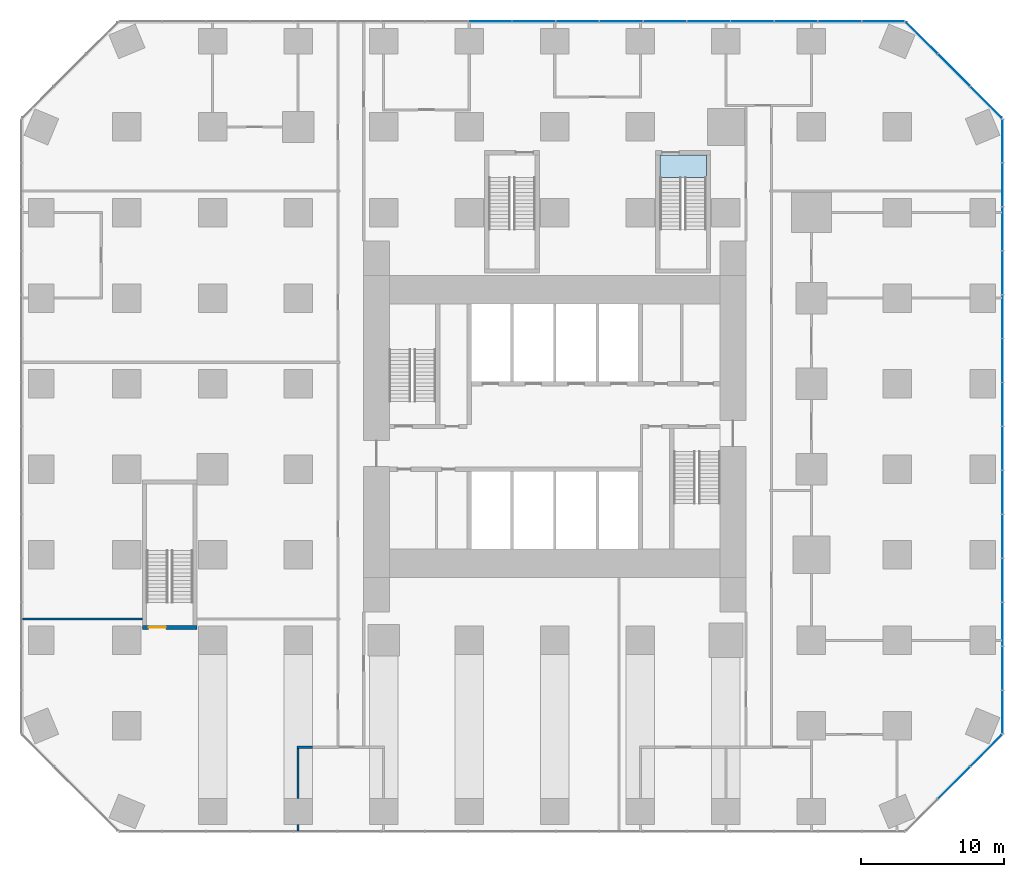
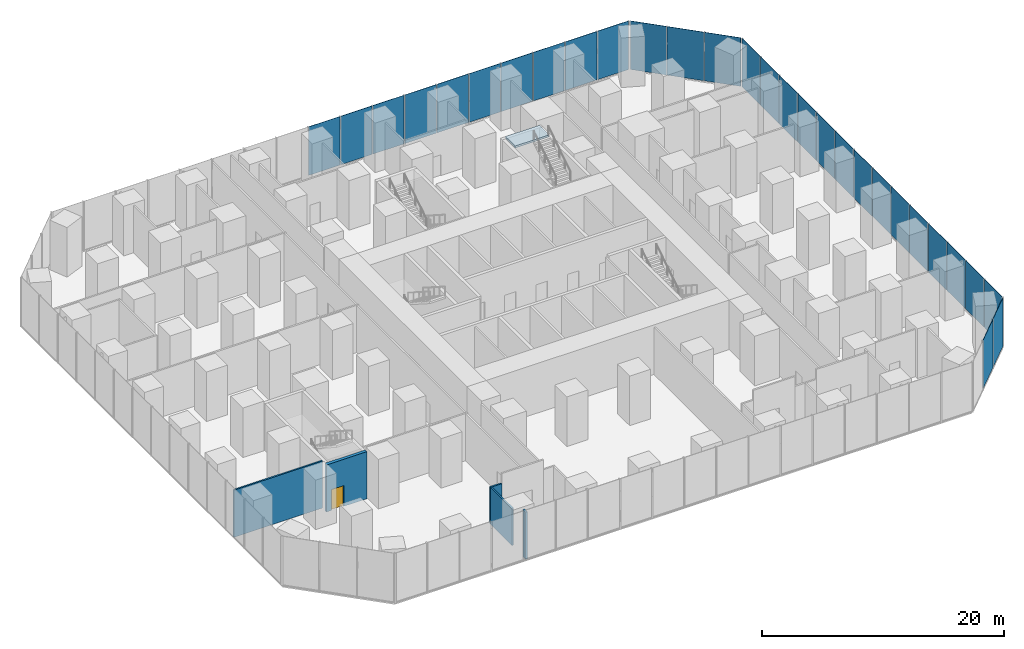
# One storey, part 10 of 15: 29 plates, 5 walls, 1 door, 1 slab, 1 opening, 5 elements without a shape of their own.
"""IFC4 building model written with IfcOpenShell, lengths in metres."""

import ifcopenshell
import ifcopenshell.guid

model = None  # the IFC model being written
_history = None  # IfcOwnerHistory: only IFC2X3 demands one
_inside = {}  # id of a spatial element -> (the spatial element, [elements in it])
_under = {}  # id of a project, library or spatial element -> (it, [spatial elements below it])
_declared = {}  # id of a project -> (the project, [libraries it declares])
_typed = {}  # id of a type object -> (the type object, [elements of that type])
_made_of = {}  # id of a material, layer set ... -> (it, [elements and type objects made of it])


def new_model(schema):
    """Start an empty IFC model of exactly this schema.

    Asked for "IFC4X3", IfcOpenShell would pick the latest addendum, in which some entities
    have other attributes; the version numbers below select the first issue.
    IFC2X3 requires an IfcOwnerHistory on every rooted entity: one is made here for all.
    """
    global model, _history
    if schema == "IFC4X3":
        model = ifcopenshell.file(schema_version=(4, 3, 0, 0))
    else:
        model = ifcopenshell.file(schema=schema)
    _inside.clear()
    _under.clear()
    _declared.clear()
    _typed.clear()
    _made_of.clear()
    _history = None
    if model.schema == "IFC2X3":
        org = make("IfcOrganization", Name="unknown")
        user = make(
            "IfcPersonAndOrganization",
            ThePerson=make("IfcPerson", FamilyName="unknown"),
            TheOrganization=org,
        )
        app = make(
            "IfcApplication",
            ApplicationDeveloper=org,
            Version="unknown",
            ApplicationFullName="unknown",
            ApplicationIdentifier="unknown",
        )
        _history = make(
            "IfcOwnerHistory",
            OwningUser=user,
            OwningApplication=app,
            ChangeAction="ADDED",
            CreationDate=0,
        )
    return model


def make(cls, **values):
    """One entity of the class cls with the attributes given. An attribute that is None is left unset."""
    return model.create_entity(
        cls, **{name: value for name, value in values.items() if value is not None}
    )


def rooted(cls, **values):
    """An entity with a GlobalId (a new one), such as an element, a storey or a relation."""
    return make(cls, GlobalId=ifcopenshell.guid.new(), OwnerHistory=_history, **values)


def si_unit(unit_type, name, prefix=None):
    """IfcSIUnit, for example si_unit("LENGTHUNIT", "METRE", prefix="MILLI")."""
    return make("IfcSIUnit", UnitType=unit_type, Prefix=prefix, Name=name)


def assignment(units):
    """IfcUnitAssignment: the units of a project."""
    return None if units is None else make("IfcUnitAssignment", Units=units)


def point(xyz):
    """IfcCartesianPoint."""
    return None if xyz is None else make("IfcCartesianPoint", Coordinates=xyz)


def direction(xyz):
    """IfcDirection."""
    return None if xyz is None else make("IfcDirection", DirectionRatios=xyz)


def frame(location, z_axis=None, x_axis=None):
    """IfcAxis2Placement3D, a coordinate frame: its origin and axes. An axis left out is left unset."""
    return make(
        "IfcAxis2Placement3D",
        Location=point(location),
        Axis=direction(z_axis),
        RefDirection=direction(x_axis),
    )


def frame_2d(location, x_axis=None):
    """IfcAxis2Placement2D, a coordinate frame in the plane: its origin and x axis."""
    return make(
        "IfcAxis2Placement2D", Location=point(location), RefDirection=direction(x_axis)
    )


def origin():
    """The frame at (0, 0, 0) with its axes left unset."""
    return frame((0.0, 0.0, 0.0))


def origin_2d():
    """The frame at (0, 0) in the plane with its x axis left unset."""
    return frame_2d((0.0, 0.0))


def place(relative_to, where):
    """IfcLocalPlacement: puts the frame where relative to a parent placement (None: the world)."""
    return make(
        "IfcLocalPlacement", PlacementRelTo=relative_to, RelativePlacement=where
    )


def context(
    kind, dimensions, precision=None, world=None, true_north=None, identifier=None
):
    """IfcGeometricRepresentationContext, for example the 3D "Model" context."""
    return make(
        "IfcGeometricRepresentationContext",
        ContextIdentifier=identifier,
        ContextType=kind,
        CoordinateSpaceDimension=dimensions,
        Precision=precision,
        WorldCoordinateSystem=world,
        TrueNorth=true_north,
    )


def subcontext(parent, identifier, kind, view, scale=None):
    """IfcGeometricRepresentationSubContext, for example "Body" below "Model"."""
    return make(
        "IfcGeometricRepresentationSubContext",
        ContextIdentifier=identifier,
        ContextType=kind,
        ParentContext=parent,
        TargetScale=scale,
        TargetView=view,
    )


def project(units=None, contexts=None):
    """IfcProject with its units and contexts."""
    return rooted(
        "IfcProject",
        Name="project",
        RepresentationContexts=contexts,
        UnitsInContext=assignment(units),
    )


def spatial(cls, under=None, at=None, **own):
    """A site, building, storey or space (cls), placed at a placement, below another one or the project."""
    s = rooted(cls, ObjectPlacement=at, **own)
    if under is not None:
        _under.setdefault(under.id(), (under, []))[1].append(s)
    return s


def polyline(points):
    """IfcPolyline through the points."""
    return make("IfcPolyline", Points=[point(p) for p in points])


def profile(cls, at=None, kind="AREA", **sizes):
    """A parametric profile (cls). Its sizes go by their IFC names, for example OverallWidth=200.0."""
    return make(cls, ProfileType=kind, Position=at, **sizes)


def rectangle(**sizes):
    """IfcRectangleProfileDef."""
    return profile("IfcRectangleProfileDef", **sizes)


def outline(outer, holes=None, kind="AREA"):
    """IfcArbitraryClosedProfileDef: a profile drawn as a closed curve; with holes, ...WithVoids."""
    if holes is None:
        return make("IfcArbitraryClosedProfileDef", ProfileType=kind, OuterCurve=outer)
    return make(
        "IfcArbitraryProfileDefWithVoids",
        ProfileType=kind,
        OuterCurve=outer,
        InnerCurves=holes,
    )


def extrude(swept, where, along, depth):
    """IfcExtrudedAreaSolid: the profile swept, set in the frame where, extruded along a direction by depth."""
    return make(
        "IfcExtrudedAreaSolid",
        SweptArea=swept,
        Position=where,
        ExtrudedDirection=direction(along),
        Depth=depth,
    )


def shape(context_of_items, identifier, shape_type, items):
    """IfcShapeRepresentation: the items that make up one representation, for example the "Body"."""
    return make(
        "IfcShapeRepresentation",
        ContextOfItems=context_of_items,
        RepresentationIdentifier=identifier,
        RepresentationType=shape_type,
        Items=items,
    )


def material(Name=None, Category=None):
    """IfcMaterial."""
    return make("IfcMaterial", Name=Name, Category=Category)


def layer(
    of_material, thickness, ventilated=None, Name=None, Category=None, Priority=None
):
    """IfcMaterialLayer: one layer of a wall or slab, of a material (None: an air gap)."""
    return make(
        "IfcMaterialLayer",
        Material=of_material,
        LayerThickness=thickness,
        IsVentilated=ventilated,
        Name=Name,
        Category=Category,
        Priority=Priority,
    )


def layer_set(layers, Name=None):
    """IfcMaterialLayerSet."""
    return make("IfcMaterialLayerSet", MaterialLayers=layers, LayerSetName=Name)


def made_of(thing, what):
    """Note that an element or type object is made of a material, layer set ...; save() writes the relation."""
    if what is not None:
        _made_of.setdefault(what.id(), (what, []))[1].append(thing)
    return thing


def type_object(cls, material=None, **own):
    """A type object (cls), such as IfcWallType, which elements share."""
    return made_of(rooted(cls, **own), material)


def element(
    cls,
    number,
    at=None,
    inside=None,
    cuts=None,
    type_object=None,
    material=None,
    context=None,
    identifier="Body",
    shape_type=None,
    held_by="IfcProductDefinitionShape",
    body=None,
    shapes=None,
    **own,
):
    """One element of the class cls, such as IfcWall. Its Tag is "e" and its number.

    at: its placement. inside: the storey or other place that contains it. cuts: it is an
    opening in that element (IfcRelVoidsElement). A single representation is given by context,
    identifier, shape_type and body (its items); several are given by shapes. held_by: the class
    of the entity that holds the representations. save() writes the other relations.
    """
    e = rooted(cls, Tag="e%d" % number, ObjectPlacement=at, **own)
    if body is not None:
        shapes = [shape(context, identifier, shape_type, body)]
    if shapes is not None:
        e.Representation = make(held_by, Representations=shapes)
    if inside is not None:
        _inside.setdefault(inside.id(), (inside, []))[1].append(e)
    if cuts is not None:
        rooted(
            "IfcRelVoidsElement", RelatingBuildingElement=cuts, RelatedOpeningElement=e
        )
    if type_object is not None:
        _typed.setdefault(type_object.id(), (type_object, []))[1].append(e)
    return made_of(e, material)


def fill(opening, filler):
    """IfcRelFillsElement: the door or window that sits in an opening."""
    return rooted(
        "IfcRelFillsElement",
        RelatingOpeningElement=opening,
        RelatedBuildingElement=filler,
    )


def aggregate(whole, parts):
    """IfcRelAggregates: a whole, such as a stair, and the parts it consists of."""
    return rooted("IfcRelAggregates", RelatingObject=whole, RelatedObjects=parts)


def save(model, path):
    """Write the relations noted so far, then the file.

    IfcRelAggregates (storeys below a building ...), IfcRelContainedInSpatialStructure (elements
    in a storey), IfcRelDefinesByType, IfcRelAssociatesMaterial and IfcRelDeclares: one each for
    every whole, place, type object, material and project.
    """
    for whole, parts in _under.values():
        aggregate(whole, parts)
    for where, things in _inside.values():
        rooted(
            "IfcRelContainedInSpatialStructure",
            RelatedElements=things,
            RelatingStructure=where,
        )
    for kind, things in _typed.values():
        rooted("IfcRelDefinesByType", RelatedObjects=things, RelatingType=kind)
    for what, things in _made_of.values():
        rooted("IfcRelAssociatesMaterial", RelatedObjects=things, RelatingMaterial=what)
    for by, libraries in _declared.values():
        rooted("IfcRelDeclares", RelatingContext=by, RelatedDefinitions=libraries)
    model.write(path)


model = new_model("IFC4")

# Units and contexts
model_context = context("Model", 3, precision=1e-05, world=origin(), true_north=direction((0.0, 1.0)))
body_context = subcontext(model_context, "Body", "Model", "MODEL_VIEW")
ifc_project = project(units=[si_unit("LENGTHUNIT", "METRE"), si_unit("AREAUNIT", "SQUARE_METRE"), si_unit("VOLUMEUNIT", "CUBIC_METRE"), si_unit("PLANEANGLEUNIT", "RADIAN"), si_unit("MASSUNIT", "GRAM", prefix="KILO")], contexts=[model_context])

# Site, building, storey
site_placement = place(None, origin())
site = spatial("IfcSite", under=ifc_project, at=site_placement, CompositionType="ELEMENT")
building_placement = place(site_placement, origin())
building = spatial("IfcBuilding", under=site, at=building_placement, Name="Highveld Stack Headquarters", CompositionType="ELEMENT")
storey_placement = place(building_placement, frame((0.0, 0.0, 6.0)))
storey = spatial("IfcBuildingStorey", under=building, at=storey_placement, Name="L01", CompositionType="ELEMENT", Elevation=6.0)

# Curtain wall, plates
ifc_material_1 = material(Name="Aluminium bronze anodised", Category="aluminium")
ifc_layer_1 = layer(ifc_material_1, 0.199951171875)
ifc_layer_set_1 = layer_set([ifc_layer_1], Name="Aluminium bronze anodised")
curtain_wall_type = type_object("IfcCurtainWallType", Name="CW3 PODIUM STICK CURTAIN WALL", PredefinedType="NOTDEFINED", material=ifc_layer_set_1)
curtain_wall_1_placement = place(storey_placement, origin())
curtain_wall_1 = element("IfcCurtainWall", 1, at=curtain_wall_1_placement, inside=storey, type_object=curtain_wall_type, Name="Curtain wall CW3 L01 SE", PredefinedType="NOTDEFINED")
ifc_material_2 = material(Name="Glass clear low-iron double glazed unit", Category="glass")
ifc_layer_2 = layer(ifc_material_2, 0.035888671875)
ifc_layer_set_2 = layer_set([ifc_layer_2], Name="Glass clear low-iron double glazed unit")
plate_type = type_object("IfcPlateType", Name="CW3 PANEL CLEAR LOW-IRON DOUBLE GLAZED UNIT", PredefinedType="CURTAIN_PANEL", material=ifc_layer_set_2)
plate_1_placement = place(storey_placement, frame((33.989990234375, -21.989990234375, 0.10009765625), z_axis=(0.0, 0.0, 1.0), x_axis=(0.707106781187, 0.707106781187, 0.0)))
plate_1 = element("IfcPlate", 2, at=plate_1_placement, type_object=plate_type, Name="CW3 panel L01 2.1", PredefinedType="CURTAIN_PANEL", context=body_context, shape_type="SweptSolid", body=[
    extrude(rectangle(XDim=3.14990234375, YDim=0.035888671875, at=origin_2d()), origin(), (0.0, 0.0, 1.0), 4.89990234375),
])
plate_2_placement = place(storey_placement, frame((36.239501953125, -19.740478515625, 0.10009765625), z_axis=(0.0, 0.0, 1.0), x_axis=(0.707106781187, 0.707106781187, 0.0)))
plate_2 = element("IfcPlate", 3, at=plate_2_placement, type_object=plate_type, Name="CW3 panel L01 3.1", PredefinedType="CURTAIN_PANEL", context=body_context, shape_type="SweptSolid", body=[
    extrude(rectangle(XDim=3.08251953125, YDim=0.035888671875, at=origin_2d()), origin(), (0.0, 0.0, 1.0), 4.89990234375),
])
aggregate(curtain_wall_1, [plate_1, plate_2])

curtain_wall_2_placement = place(storey_placement, origin())
curtain_wall_2 = element("IfcCurtainWall", 4, at=curtain_wall_2_placement, inside=storey, type_object=curtain_wall_type, Name="Curtain wall CW3 L01 E", PredefinedType="NOTDEFINED")
plate_3_placement = place(storey_placement, frame((37.39990234375, -17.022216796875, 0.10009765625), z_axis=(0.0, 0.0, 1.0), x_axis=(0.0, 1.0, 0.0)))
plate_3 = element("IfcPlate", 5, at=plate_3_placement, type_object=plate_type, Name="CW3 panel L01 1.1", PredefinedType="CURTAIN_PANEL", context=body_context, shape_type="SweptSolid", body=[
    extrude(rectangle(XDim=2.9853515625, YDim=0.035888671875, at=origin_2d()), origin(), (0.0, 0.0, 1.0), 4.89990234375),
])
plate_4_placement = place(storey_placement, frame((37.39990234375, -13.95556640625, 0.10009765625), z_axis=(0.0, 0.0, 1.0), x_axis=(0.0, 1.0, 0.0)))
plate_4 = element("IfcPlate", 6, at=plate_4_placement, type_object=plate_type, Name="CW3 panel L01 2.1", PredefinedType="CURTAIN_PANEL", context=body_context, shape_type="SweptSolid", body=[
    extrude(rectangle(XDim=3.017822265625, YDim=0.035888671875, at=origin_2d()), origin(), (0.0, 0.0, 1.0), 4.89990234375),
])
plate_5_placement = place(storey_placement, frame((37.39990234375, -10.872802734375, 0.10009765625), z_axis=(0.0, 0.0, 1.0), x_axis=(0.0, 1.0, 0.0)))
plate_5 = element("IfcPlate", 7, at=plate_5_placement, type_object=plate_type, Name="CW3 panel L01 3.1", PredefinedType="CURTAIN_PANEL", context=body_context, shape_type="SweptSolid", body=[
    extrude(rectangle(XDim=3.017822265625, YDim=0.035888671875, at=origin_2d()), origin(), (0.0, 0.0, 1.0), 4.89990234375),
])
plate_6_placement = place(storey_placement, frame((37.39990234375, -7.789794921875, 0.10009765625), z_axis=(0.0, 0.0, 1.0), x_axis=(0.0, 1.0, 0.0)))
plate_6 = element("IfcPlate", 8, at=plate_6_placement, type_object=plate_type, Name="CW3 panel L01 4.1", PredefinedType="CURTAIN_PANEL", context=body_context, shape_type="SweptSolid", body=[
    extrude(rectangle(XDim=3.017822265625, YDim=0.035888671875, at=origin_2d()), origin(), (0.0, 0.0, 1.0), 4.89990234375),
])
plate_7_placement = place(storey_placement, frame((37.39990234375, -4.70703125, 0.10009765625), z_axis=(0.0, 0.0, 1.0), x_axis=(0.0, 1.0, 0.0)))
plate_7 = element("IfcPlate", 9, at=plate_7_placement, type_object=plate_type, Name="CW3 panel L01 5.1", PredefinedType="CURTAIN_PANEL", context=body_context, shape_type="SweptSolid", body=[
    extrude(rectangle(XDim=3.017822265625, YDim=0.035888671875, at=origin_2d()), origin(), (0.0, 0.0, 1.0), 4.89990234375),
])
plate_8_placement = place(storey_placement, frame((37.39990234375, -1.624267578125, 0.10009765625), z_axis=(0.0, 0.0, 1.0), x_axis=(0.0, 1.0, 0.0)))
plate_8 = element("IfcPlate", 10, at=plate_8_placement, type_object=plate_type, Name="CW3 panel L01 6.1", PredefinedType="CURTAIN_PANEL", context=body_context, shape_type="SweptSolid", body=[
    extrude(rectangle(XDim=3.017822265625, YDim=0.035888671875, at=origin_2d()), origin(), (0.0, 0.0, 1.0), 4.89990234375),
])
plate_9_placement = place(storey_placement, frame((37.39990234375, 1.45849609375, 0.10009765625), z_axis=(0.0, 0.0, 1.0), x_axis=(0.0, 1.0, 0.0)))
plate_9 = element("IfcPlate", 11, at=plate_9_placement, type_object=plate_type, Name="CW3 panel L01 7.1", PredefinedType="CURTAIN_PANEL", context=body_context, shape_type="SweptSolid", body=[
    extrude(rectangle(XDim=3.017822265625, YDim=0.035888671875, at=origin_2d()), origin(), (0.0, 0.0, 1.0), 4.89990234375),
])
plate_10_placement = place(storey_placement, frame((37.39990234375, 4.54150390625, 0.10009765625), z_axis=(0.0, 0.0, 1.0), x_axis=(0.0, 1.0, 0.0)))
plate_10 = element("IfcPlate", 12, at=plate_10_placement, type_object=plate_type, Name="CW3 panel L01 8.1", PredefinedType="CURTAIN_PANEL", context=body_context, shape_type="SweptSolid", body=[
    extrude(rectangle(XDim=3.017822265625, YDim=0.035888671875, at=origin_2d()), origin(), (0.0, 0.0, 1.0), 4.89990234375),
])
plate_11_placement = place(storey_placement, frame((37.39990234375, 7.624267578125, 0.10009765625), z_axis=(0.0, 0.0, 1.0), x_axis=(0.0, 1.0, 0.0)))
plate_11 = element("IfcPlate", 13, at=plate_11_placement, type_object=plate_type, Name="CW3 panel L01 9.1", PredefinedType="CURTAIN_PANEL", context=body_context, shape_type="SweptSolid", body=[
    extrude(rectangle(XDim=3.017822265625, YDim=0.035888671875, at=origin_2d()), origin(), (0.0, 0.0, 1.0), 4.89990234375),
])
plate_12_placement = place(storey_placement, frame((37.39990234375, 10.70703125, 0.10009765625), z_axis=(0.0, 0.0, 1.0), x_axis=(0.0, 1.0, 0.0)))
plate_12 = element("IfcPlate", 14, at=plate_12_placement, type_object=plate_type, Name="CW3 panel L01 10.1", PredefinedType="CURTAIN_PANEL", context=body_context, shape_type="SweptSolid", body=[
    extrude(rectangle(XDim=3.017822265625, YDim=0.035888671875, at=origin_2d()), origin(), (0.0, 0.0, 1.0), 4.89990234375),
])
plate_13_placement = place(storey_placement, frame((37.39990234375, 13.7900390625, 0.10009765625), z_axis=(0.0, 0.0, 1.0), x_axis=(0.0, 1.0, 0.0)))
plate_13 = element("IfcPlate", 15, at=plate_13_placement, type_object=plate_type, Name="CW3 panel L01 11.1", PredefinedType="CURTAIN_PANEL", context=body_context, shape_type="SweptSolid", body=[
    extrude(rectangle(XDim=3.017822265625, YDim=0.035888671875, at=origin_2d()), origin(), (0.0, 0.0, 1.0), 4.89990234375),
])
plate_14_placement = place(storey_placement, frame((37.39990234375, 16.872802734375, 0.10009765625), z_axis=(0.0, 0.0, 1.0), x_axis=(0.0, 1.0, 0.0)))
plate_14 = element("IfcPlate", 16, at=plate_14_placement, type_object=plate_type, Name="CW3 panel L01 12.1", PredefinedType="CURTAIN_PANEL", context=body_context, shape_type="SweptSolid", body=[
    extrude(rectangle(XDim=3.017822265625, YDim=0.035888671875, at=origin_2d()), origin(), (0.0, 0.0, 1.0), 4.89990234375),
])
plate_15_placement = place(storey_placement, frame((37.39990234375, 19.95556640625, 0.10009765625), z_axis=(0.0, 0.0, 1.0), x_axis=(0.0, 1.0, 0.0)))
plate_15 = element("IfcPlate", 17, at=plate_15_placement, type_object=plate_type, Name="CW3 panel L01 13.1", PredefinedType="CURTAIN_PANEL", context=body_context, shape_type="SweptSolid", body=[
    extrude(rectangle(XDim=3.017822265625, YDim=0.035888671875, at=origin_2d()), origin(), (0.0, 0.0, 1.0), 4.89990234375),
])
plate_16_placement = place(storey_placement, frame((37.39990234375, 23.022216796875, 0.10009765625), z_axis=(0.0, 0.0, 1.0), x_axis=(0.0, 1.0, 0.0)))
plate_16 = element("IfcPlate", 18, at=plate_16_placement, type_object=plate_type, Name="CW3 panel L01 14.1", PredefinedType="CURTAIN_PANEL", context=body_context, shape_type="SweptSolid", body=[
    extrude(rectangle(XDim=2.9853515625, YDim=0.035888671875, at=origin_2d()), origin(), (0.0, 0.0, 1.0), 4.89990234375),
])
aggregate(curtain_wall_2, [plate_3, plate_4, plate_5, plate_6, plate_7, plate_8, plate_9, plate_10, plate_11, plate_12, plate_13, plate_14, plate_15, plate_16])

curtain_wall_3_placement = place(storey_placement, origin())
curtain_wall_3 = element("IfcCurtainWall", 19, at=curtain_wall_3_placement, inside=storey, type_object=curtain_wall_type, Name="Curtain wall CW3 L01 NE", PredefinedType="NOTDEFINED")
plate_17_placement = place(storey_placement, frame((36.239501953125, 25.740478515625, 0.10009765625), z_axis=(0.0, 0.0, 1.0), x_axis=(-0.707106781187, 0.707106781187, 0.0)))
plate_17 = element("IfcPlate", 20, at=plate_17_placement, type_object=plate_type, Name="CW3 panel L01 1.1", PredefinedType="CURTAIN_PANEL", context=body_context, shape_type="SweptSolid", body=[
    extrude(rectangle(XDim=3.08251953125, YDim=0.035888671875, at=origin_2d()), origin(), (0.0, 0.0, 1.0), 4.89990234375),
])
plate_18_placement = place(storey_placement, frame((33.989990234375, 27.989990234375, 0.10009765625), z_axis=(0.0, 0.0, 1.0), x_axis=(-0.707106781187, 0.707106781187, 0.0)))
plate_18 = element("IfcPlate", 21, at=plate_18_placement, type_object=plate_type, Name="CW3 panel L01 2.1", PredefinedType="CURTAIN_PANEL", context=body_context, shape_type="SweptSolid", body=[
    extrude(rectangle(XDim=3.14990234375, YDim=0.035888671875, at=origin_2d()), origin(), (0.0, 0.0, 1.0), 4.89990234375),
])
plate_19_placement = place(storey_placement, frame((31.740478515625, 30.239501953125, 0.10009765625), z_axis=(0.0, 0.0, 1.0), x_axis=(-0.707106781187, 0.707106781187, 0.0)))
plate_19 = element("IfcPlate", 22, at=plate_19_placement, type_object=plate_type, Name="CW3 panel L01 3.1", PredefinedType="CURTAIN_PANEL", context=body_context, shape_type="SweptSolid", body=[
    extrude(rectangle(XDim=3.08251953125, YDim=0.035888671875, at=origin_2d()), origin(), (0.0, 0.0, 1.0), 4.89990234375),
])
aggregate(curtain_wall_3, [plate_17, plate_18, plate_19])

curtain_wall_4_placement = place(storey_placement, origin())
curtain_wall_4 = element("IfcCurtainWall", 23, at=curtain_wall_4_placement, inside=storey, type_object=curtain_wall_type, Name="Curtain wall CW3 L01 N", PredefinedType="NOTDEFINED")
plate_20_placement = place(storey_placement, frame((29.031494140625, 31.39990234375, 0.10009765625), z_axis=(0.0, 0.0, 1.0), x_axis=(-1.0, 0.0, 0.0)))
plate_20 = element("IfcPlate", 24, at=plate_20_placement, type_object=plate_type, Name="CW3 panel L01 1.1", PredefinedType="CURTAIN_PANEL", context=body_context, shape_type="SweptSolid", body=[
    extrude(rectangle(XDim=2.966796875, YDim=0.035888671875, at=origin_2d()), origin(), (0.0, 0.0, 1.0), 4.89990234375),
])
plate_21_placement = place(storey_placement, frame((25.983154296875, 31.39990234375, 0.10009765625), z_axis=(0.0, 0.0, 1.0), x_axis=(-1.0, 0.0, 0.0)))
plate_21 = element("IfcPlate", 25, at=plate_21_placement, type_object=plate_type, Name="CW3 panel L01 2.1", PredefinedType="CURTAIN_PANEL", context=body_context, shape_type="SweptSolid", body=[
    extrude(rectangle(XDim=2.99951171875, YDim=0.035888671875, at=origin_2d()), origin(), (0.0, 0.0, 1.0), 4.89990234375),
])
plate_22_placement = place(storey_placement, frame((22.918701171875, 31.39990234375, 0.10009765625), z_axis=(0.0, 0.0, 1.0), x_axis=(-1.0, 0.0, 0.0)))
plate_22 = element("IfcPlate", 26, at=plate_22_placement, type_object=plate_type, Name="CW3 panel L01 3.1", PredefinedType="CURTAIN_PANEL", context=body_context, shape_type="SweptSolid", body=[
    extrude(rectangle(XDim=2.99951171875, YDim=0.035888671875, at=origin_2d()), origin(), (0.0, 0.0, 1.0), 4.89990234375),
])
plate_23_placement = place(storey_placement, frame((19.8544921875, 31.39990234375, 0.10009765625), z_axis=(0.0, 0.0, 1.0), x_axis=(-1.0, 0.0, 0.0)))
plate_23 = element("IfcPlate", 27, at=plate_23_placement, type_object=plate_type, Name="CW3 panel L01 4.1", PredefinedType="CURTAIN_PANEL", context=body_context, shape_type="SweptSolid", body=[
    extrude(rectangle(XDim=2.99951171875, YDim=0.035888671875, at=origin_2d()), origin(), (0.0, 0.0, 1.0), 4.89990234375),
])
plate_24_placement = place(storey_placement, frame((16.789794921875, 31.39990234375, 0.10009765625), z_axis=(0.0, 0.0, 1.0), x_axis=(-1.0, 0.0, 0.0)))
plate_24 = element("IfcPlate", 28, at=plate_24_placement, type_object=plate_type, Name="CW3 panel L01 5.1", PredefinedType="CURTAIN_PANEL", context=body_context, shape_type="SweptSolid", body=[
    extrude(rectangle(XDim=2.99951171875, YDim=0.035888671875, at=origin_2d()), origin(), (0.0, 0.0, 1.0), 4.89990234375),
])
plate_25_placement = place(storey_placement, frame((13.7255859375, 31.39990234375, 0.10009765625), z_axis=(0.0, 0.0, 1.0), x_axis=(-1.0, 0.0, 0.0)))
plate_25 = element("IfcPlate", 29, at=plate_25_placement, type_object=plate_type, Name="CW3 panel L01 6.1", PredefinedType="CURTAIN_PANEL", context=body_context, shape_type="SweptSolid", body=[
    extrude(rectangle(XDim=2.99951171875, YDim=0.035888671875, at=origin_2d()), origin(), (0.0, 0.0, 1.0), 4.89990234375),
])
plate_26_placement = place(storey_placement, frame((10.6611328125, 31.39990234375, 0.10009765625), z_axis=(0.0, 0.0, 1.0), x_axis=(-1.0, 0.0, 0.0)))
plate_26 = element("IfcPlate", 30, at=plate_26_placement, type_object=plate_type, Name="CW3 panel L01 7.1", PredefinedType="CURTAIN_PANEL", context=body_context, shape_type="SweptSolid", body=[
    extrude(rectangle(XDim=2.99951171875, YDim=0.035888671875, at=origin_2d()), origin(), (0.0, 0.0, 1.0), 4.89990234375),
])
plate_27_placement = place(storey_placement, frame((7.5966796875, 31.39990234375, 0.10009765625), z_axis=(0.0, 0.0, 1.0), x_axis=(-1.0, 0.0, 0.0)))
plate_27 = element("IfcPlate", 31, at=plate_27_placement, type_object=plate_type, Name="CW3 panel L01 8.1", PredefinedType="CURTAIN_PANEL", context=body_context, shape_type="SweptSolid", body=[
    extrude(rectangle(XDim=2.99951171875, YDim=0.035888671875, at=origin_2d()), origin(), (0.0, 0.0, 1.0), 4.89990234375),
])
plate_28_placement = place(storey_placement, frame((4.5322265625, 31.39990234375, 0.10009765625), z_axis=(0.0, 0.0, 1.0), x_axis=(-1.0, 0.0, 0.0)))
plate_28 = element("IfcPlate", 32, at=plate_28_placement, type_object=plate_type, Name="CW3 panel L01 9.1", PredefinedType="CURTAIN_PANEL", context=body_context, shape_type="SweptSolid", body=[
    extrude(rectangle(XDim=2.99951171875, YDim=0.035888671875, at=origin_2d()), origin(), (0.0, 0.0, 1.0), 4.89990234375),
])
plate_29_placement = place(storey_placement, frame((1.4677734375, 31.39990234375, 0.10009765625), z_axis=(0.0, 0.0, 1.0), x_axis=(-1.0, 0.0, 0.0)))
plate_29 = element("IfcPlate", 33, at=plate_29_placement, type_object=plate_type, Name="CW3 panel L01 10.1", PredefinedType="CURTAIN_PANEL", context=body_context, shape_type="SweptSolid", body=[
    extrude(rectangle(XDim=2.99951171875, YDim=0.035888671875, at=origin_2d()), origin(), (0.0, 0.0, 1.0), 4.89990234375),
])
aggregate(curtain_wall_4, [plate_20, plate_21, plate_22, plate_23, plate_24, plate_25, plate_26, plate_27, plate_28, plate_29])

# Stair, slab
ifc_material_3 = material(Name="Concrete C40/50, precast", Category="concrete")
stair_type = type_object("IfcStairType", Name="STAIR PS2 HALF TURN 1500", PredefinedType="HALF_TURN_STAIR", material=ifc_material_3)
stair_placement = place(storey_placement, origin())
stair = element("IfcStair", 34, at=stair_placement, inside=storey, type_object=stair_type, Name="Stair PS2 L01", PredefinedType="HALF_TURN_STAIR")
ifc_material_4 = material(Name="Concrete C40/50, precast", Category="concrete")
ifc_layer_3 = layer(ifc_material_4, 0.199951171875)
ifc_layer_set_3 = layer_set([ifc_layer_3], Name="Concrete C40/50, precast")
slab_type = type_object("IfcSlabType", Name="STAIR LANDING 200", PredefinedType="LANDING", material=ifc_layer_set_3)
slab_placement = place(storey_placement, frame((0.0, 0.0, 4.800048828125)))
slab = element("IfcSlab", 35, at=slab_placement, type_object=slab_type, Name="PS2 landing 3", PredefinedType="LANDING", context=body_context, shape_type="SweptSolid", body=[
    extrude(outline(polyline([(13.375, 20.449951171875), (16.625, 20.449951171875), (16.625, 22.050048828125), (13.375, 22.050048828125), (13.375, 20.449951171875)])), origin(), (0.0, 0.0, 1.0), 0.199951171875),
])
aggregate(stair, [slab])

# Walls
ifc_material_5 = material(Name="Gypsum plasterboard on steel studs", Category="steel")
ifc_layer_4 = layer(ifc_material_5, 0.14990234375)
ifc_layer_set_4 = layer_set([ifc_layer_4], Name="Gypsum plasterboard on steel studs")
wall_type_1 = type_object("IfcWallType", Name="PARTITION 150 PLASTERBOARD", PredefinedType="PARTITIONING", material=ifc_layer_set_4)
wall_1_placement = place(storey_placement, frame((-12.074951171875, -19.5, 0.0), z_axis=(0.0, 0.0, 1.0), x_axis=(1.0, 0.0, 0.0)))
element("IfcWall", 36, at=wall_1_placement, inside=storey, type_object=wall_type_1, Name="Partition Quiet room L01", PredefinedType="PARTITIONING", context=body_context, shape_type="SweptSolid", body=[
    extrude(rectangle(XDim=1.0849609375, YDim=0.14990234375, at=frame_2d((0.54248046875, 0.0))), origin(), (0.0, 0.0, 1.0), 3.75),
])
wall_2_placement = place(storey_placement, frame((-12.0, -25.375, 0.0), z_axis=(0.0, 0.0, 1.0), x_axis=(0.0, 1.0, 0.0)))
element("IfcWall", 37, at=wall_2_placement, inside=storey, type_object=wall_type_1, Name="Partition Quiet room L01", PredefinedType="PARTITIONING", context=body_context, shape_type="SweptSolid", body=[
    extrude(rectangle(XDim=0.47509765625, YDim=0.14990234375, at=frame_2d((0.237548828125, 0.0))), origin(), (0.0, 0.0, 1.0), 4.75),
])
wall_3_placement = place(storey_placement, frame((-12.0, -23.10009765625, 0.0), z_axis=(0.0, 0.0, 1.0), x_axis=(0.0, 1.0, 0.0)))
element("IfcWall", 38, at=wall_3_placement, inside=storey, type_object=wall_type_1, Name="Partition Quiet room L01", PredefinedType="PARTITIONING", context=body_context, shape_type="SweptSolid", body=[
    extrude(rectangle(XDim=3.525146484375, YDim=0.14990234375, at=frame_2d((1.7626953125, 0.0))), origin(), (0.0, 0.0, 1.0), 3.75),
])
wall_4_placement = place(storey_placement, frame((-31.375, -10.5, 0.0), z_axis=(0.0, 0.0, 1.0), x_axis=(1.0, 0.0, 0.0)))
element("IfcWall", 39, at=wall_4_placement, inside=storey, type_object=wall_type_1, Name="Partition office neighbourhood L01", PredefinedType="PARTITIONING", context=body_context, shape_type="SweptSolid", body=[
    extrude(rectangle(XDim=8.449951171875, YDim=0.14990234375, at=frame_2d((4.22509765625, 0.0))), origin(), (0.0, 0.0, 1.0), 4.75),
])

# Wall, opening, door
ifc_material_6 = material(Name="Concrete C40/50", Category="concrete")
ifc_layer_5 = layer(ifc_material_6, 0.300048828125)
ifc_layer_set_5 = layer_set([ifc_layer_5], Name="Concrete C40/50")
wall_type_2 = type_object("IfcWallType", Name="STAIR ENCLOSURE WALL 300", PredefinedType="SOLIDWALL", material=ifc_layer_set_5)
wall_5_placement = place(storey_placement, frame((-22.925048828125, -11.10009765625, 0.0), z_axis=(0.0, 0.0, 1.0), x_axis=(1.0, 0.0, 0.0)))
wall_5 = element("IfcWall", 40, at=wall_5_placement, inside=storey, type_object=wall_type_2, Name="Stair PS1 enclosure S L01", PredefinedType="SOLIDWALL", context=body_context, shape_type="SweptSolid", body=[
    extrude(rectangle(XDim=3.85009765625, YDim=0.300048828125, at=frame_2d((1.925048828125, 0.0))), origin(), (0.0, 0.0, 1.0), 4.75),
])
opening_placement = place(wall_5_placement, frame((0.449951171875, 0.0, 0.0)))
opening = element("IfcOpeningElement", 41, at=opening_placement, cuts=wall_5, Name="Opening L01-11", PredefinedType="OPENING", context=body_context, shape_type="SweptSolid", body=[
    extrude(rectangle(XDim=1.199951171875, YDim=2.10009765625, at=frame_2d((0.60009765625, 1.050048828125))), frame((0.0, 0.159912109375, 0.0), z_axis=(0.0, -1.0, 0.0), x_axis=(1.0, 0.0, 0.0)), (0.0, 0.0, 1.0), 0.320068359375),
])
ifc_material_7 = material(Name="Steel fire door", Category="steel")
door_type = type_object("IfcDoorType", Name="STAIR FIRE DOOR D3 1200x2100", OperationType="SINGLE_SWING_LEFT", PredefinedType="DOOR", material=ifc_material_7)
door_placement = place(opening_placement, origin())
door = element("IfcDoor", 42, at=door_placement, inside=storey, type_object=door_type, Name="Stair PS1 door L01", OperationType="SINGLE_SWING_LEFT", OverallHeight=2.10009765625, OverallWidth=1.199951171875, PredefinedType="DOOR", context=body_context, shape_type="SweptSolid", body=[
    extrude(rectangle(XDim=1.199951171875, YDim=2.10009765625, at=frame_2d((0.60009765625, 1.050048828125))), frame((0.0, 0.02490234375, 0.0), z_axis=(0.0, -1.0, 0.0), x_axis=(1.0, 0.0, 0.0)), (0.0, 0.0, 1.0), 0.050048828125),
])
fill(opening, door)

save(model, "model.ifc")
